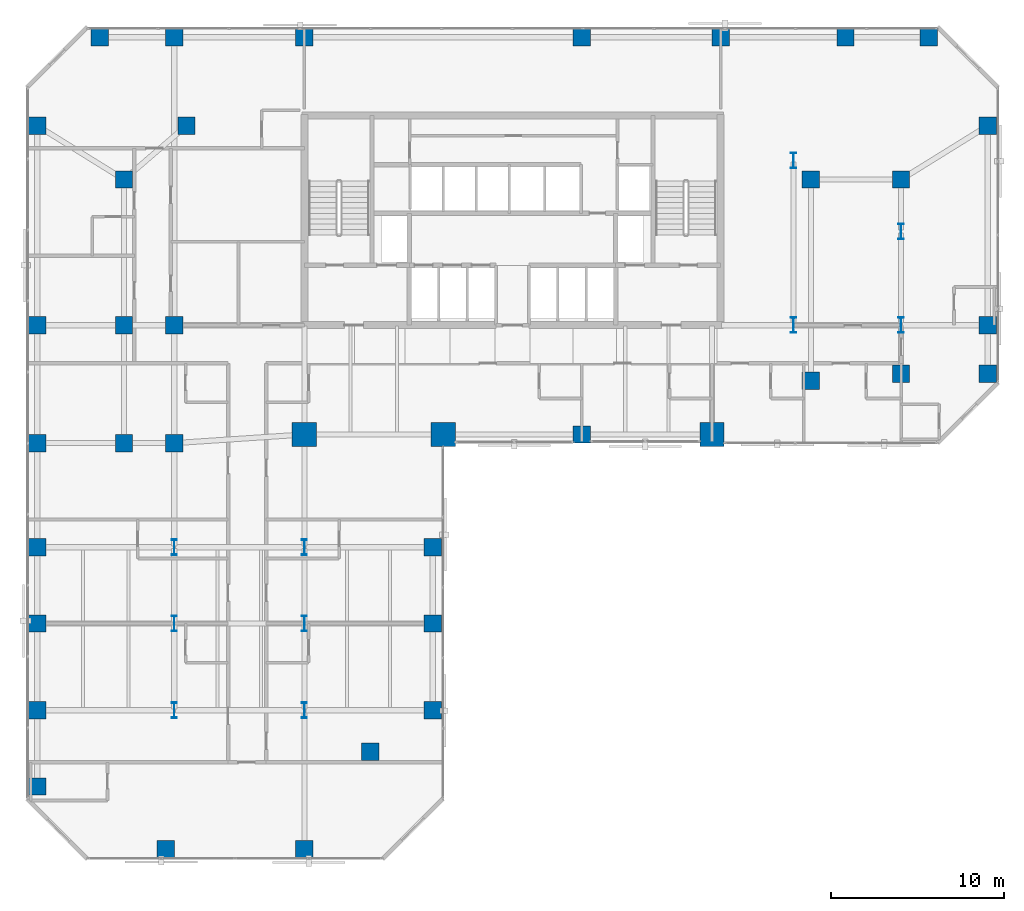
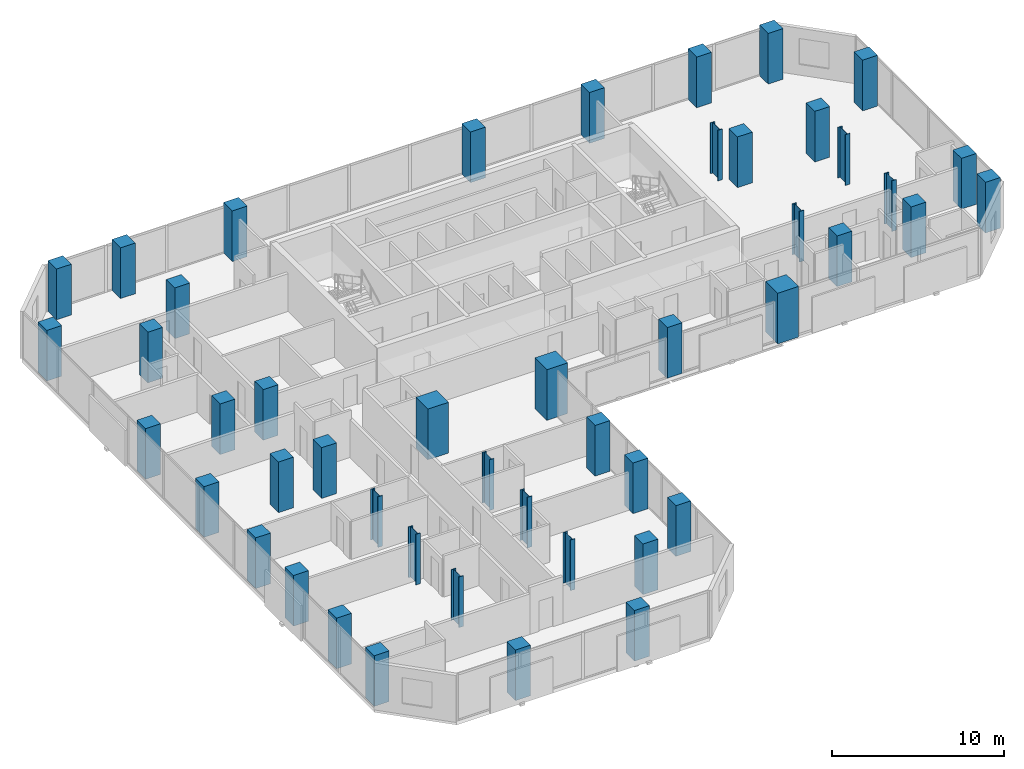
# One storey, part 1 of 32: 47 columns.
"""IFC4 building model written with IfcOpenShell, lengths in metres."""

from ifc_helpers import new_model, si_unit, direction, frame, origin, origin_2d, place, context, subcontext, project, spatial, rectangle, i_section, extrude, material, material_profile, profile_set, type_object, element, save


model = new_model("IFC4")

# Units and contexts
model_context = context("Model", 3, precision=1e-05, world=origin(), true_north=direction((0.0, 1.0)))
body_context = subcontext(model_context, "Body", "Model", "MODEL_VIEW")
ifc_project = project(units=[si_unit("LENGTHUNIT", "METRE"), si_unit("AREAUNIT", "SQUARE_METRE"), si_unit("VOLUMEUNIT", "CUBIC_METRE"), si_unit("PLANEANGLEUNIT", "RADIAN"), si_unit("MASSUNIT", "GRAM", prefix="KILO")], contexts=[model_context])

# Site, building, storey
site_placement = place(None, origin())
site = spatial("IfcSite", under=ifc_project, at=site_placement, CompositionType="ELEMENT")
building_placement = place(site_placement, origin())
building = spatial("IfcBuilding", under=site, at=building_placement, Name="Catumbela Crestline Tower", CompositionType="ELEMENT")
storey_placement = place(building_placement, frame((0.0, 0.0, 29.4)))
storey = spatial("IfcBuildingStorey", under=building, at=storey_placement, Name="L06", CompositionType="ELEMENT", Elevation=29.4)

# Columns
ifc_material_1 = material(Name="Concrete C60/75", Category="concrete")
ifc_material_profile_1 = material_profile(ifc_material_1, rectangle(XDim=1.0, YDim=1.0, at=origin_2d()), Name="RC 1000x1000")
ifc_profile_set_1 = profile_set([ifc_material_profile_1], Name="Concrete C60/75")
column_type_1 = type_object("IfcColumnType", Name="C-RC1000-C60", PredefinedType="COLUMN", material=ifc_profile_set_1)
for number, where, z_axis, x_axis, name in (
    (1, (8.5, 24.0, 0.0), (0.0, 0.0, 1.0), (1.0, 0.0, 0.0), "L06 Column C-08-24 (RC 1000x1000)"),
    (2, (32.0, 24.5, 0.0), (0.0, 0.0, 1.0), (1.0, 0.0, 0.0), "L06 Column C-32-24 (RC 1000x1000)"),
    (3, (5.6, 24.0, 0.0), (0.0, 0.0, 1.0), (1.0, 0.0, 0.0), "L06 Column C-05-24 (RC 1000x1000)"),
    (4, (5.6, 30.8, 0.0), (0.0, 0.0, 1.0), (1.0, 0.0, 0.0), "L06 Column C-05-31 (RC 1000x1000)"),
    (5, (5.6, 39.2, 0.0), (0.0, 0.0, 1.0), (1.0, 0.0, 0.0), "L06 Column C-05-43 (RC 1000x1000)"),
    (6, (8.5, 30.8, 0.0), (0.0, 0.0, 1.0), (1.0, 0.0, 0.0), "L06 Column C-08-31 (RC 1000x1000)"),
    (7, (9.2, 42.3, 0.0), (0.0, 0.0, 1.0), (1.0, 0.0, 0.0), "L06 Column C-08-43 (RC 1000x1000)"),
    (8, (45.2, 27.6, 0.0), (0.0, 0.0, 1.0), (1.0, 0.0, 0.0), "L06 Column C-46-24 (RC 1000x1000)"),
    (9, (45.2, 39.2, 0.0), (0.0, 0.0, 1.0), (1.0, 0.0, 0.0), "L06 Column C-46-43 (RC 1000x1000)"),
    (10, (0.6, 24.0, 0.0), (0.0, 0.0, 1.0), (1.0, 0.0, 0.0), "L06 Column C-00-24 (RC 1000x1000)"),
    (11, (0.6, 30.8, 0.0), (0.0, 0.0, 1.0), (1.0, 0.0, 0.0), "L06 Column C-00-31 (RC 1000x1000)"),
    (12, (0.6, 42.3, 0.0), (0.0, 0.0, 1.0), (1.0, 0.0, 0.0), "L06 Column C-00-43 (RC 1000x1000)"),
    (13, (4.2, 47.4, 0.0), (0.0, 0.0, 1.0), (1.0, 0.0, 0.0), "L06 Column C-00-48 (RC 1000x1000)"),
    (14, (8.5, 47.4, 0.0), (0.0, 0.0, 1.0), (1.0, 0.0, 0.0), "L06 Column C-08-48 (RC 1000x1000)"),
    (15, (16.0, 47.4, 0.0), (0.0, 0.0, 1.0), (1.0, 0.0, 0.0), "L06 Column C-16-48 (RC 1000x1000)"),
    (16, (32.0, 47.4, 0.0), (0.0, 0.0, 1.0), (1.0, 0.0, 0.0), "L06 Column C-32-48 (RC 1000x1000)"),
    (17, (40.0, 47.4, 0.0), (0.0, 0.0, 1.0), (1.0, 0.0, 0.0), "L06 Column C-40-48 (RC 1000x1000)"),
    (18, (47.2, 47.4, 0.0), (0.0, 0.0, 1.0), (1.0, 0.0, 0.0), "L06 Column C-48-48 (RC 1000x1000)"),
    (19, (50.4, 28.0, 0.0), (0.0, 0.0, 1.0), (1.0, 0.0, 0.0), "L06 Column C-51-24 (RC 1000x1000)"),
    (20, (50.4, 39.2, 0.0), (0.0, 0.0, 1.0), (1.0, 0.0, 0.0), "L06 Column C-51-43 (RC 1000x1000)"),
    (21, (55.4, 28.0, 0.0), (0.0, 0.0, 1.0), (1.0, 0.0, 0.0), "L06 Column C-56-24 (RC 1000x1000)"),
    (22, (55.4, 30.8, 0.0), (0.0, 0.0, 1.0), (1.0, 0.0, 0.0), "L06 Column C-56-31 (RC 1000x1000)"),
    (23, (55.4, 42.3, 0.0), (0.0, 0.0, 1.0), (1.0, 0.0, 0.0), "L06 Column C-56-43 (RC 1000x1000)"),
    (24, (52.0, 47.4, 0.0), (0.0, 0.0, 1.0), (1.0, 0.0, 0.0), "L06 Column C-56-48 (RC 1000x1000)"),
    (25, (0.6, 8.6, 0.0), (0.0, 0.0, 1.0), (1.0, 0.0, 0.0), "L06 Column C-00-05 (RC 1000x1000)"),
    (26, (0.6, 13.6, 0.0), (0.0, 0.0, 1.0), (1.0, 0.0, 0.0), "L06 Column C-00-10 (RC 1000x1000)"),
    (27, (0.6, 18.0, 0.0), (0.0, 0.0, 1.0), (1.0, 0.0, 0.0), "L06 Column C-00-16 (RC 1000x1000)"),
    (28, (0.6, 4.2, 0.0), (0.0, 0.0, 1.0), (1.0, 0.0, 0.0), "L06 Column C-00-03 (RC 1000x1000)"),
    (29, (8.0, 0.6, 0.0), (0.0, 0.0, 1.0), (1.0, 0.0, 0.0), "L06 Column C-08-00 (RC 1000x1000)"),
    (30, (16.0, 0.6, 0.0), (0.0, 0.0, 1.0), (1.0, 0.0, 0.0), "L06 Column C-16-00 (RC 1000x1000)"),
    (31, (19.8, 6.2, 0.0), (0.0, 0.0, 1.0), (1.0, 0.0, 0.0), "L06 Column C-24-05 (RC 1000x1000)"),
    (32, (23.4, 8.6, 0.0), (0.0, 0.0, 1.0), (1.0, 0.0, 0.0), "L06 Column C-23-08 (RC 1000x1000)"),
    (33, (23.4, 13.6, 0.0), (0.0, 0.0, 1.0), (1.0, 0.0, 0.0), "L06 Column C-24-10 (RC 1000x1000)"),
    (34, (23.4, 18.0, 0.0), (0.0, 0.0, 1.0), (1.0, 0.0, 0.0), "L06 Column C-24-16 (RC 1000x1000)"),
):
    element("IfcColumn", number, at=place(storey_placement, frame(where, z_axis=z_axis, x_axis=x_axis)), inside=storey, type_object=column_type_1, Name=name, PredefinedType="COLUMN", context=body_context, shape_type="SweptSolid", body=[
        extrude(rectangle(XDim=1.0, YDim=1.0, at=origin_2d()), origin(), (0.0, 0.0, 1.0), 3.6),
    ])
ifc_material_profile_2 = material_profile(ifc_material_1, rectangle(XDim=1.4, YDim=1.4, at=origin_2d()), Name="RC 1400x1400")
ifc_profile_set_2 = profile_set([ifc_material_profile_2], Name="Concrete C60/75")
column_type_2 = type_object("IfcColumnType", Name="C-RC1400-C60", PredefinedType="COLUMN", material=ifc_profile_set_2)
for number, where, z_axis, x_axis, name in (
    (35, (16.0, 24.5, 0.0), (0.0, 0.0, 1.0), (1.0, 0.0, 0.0), "L06 Column C-16-24 (RC 1400x1400)"),
    (36, (24.0, 24.5, 0.0), (0.0, 0.0, 1.0), (1.0, 0.0, 0.0), "L06 Column C-24-24 (RC 1400x1400)"),
    (37, (39.5, 24.5, 0.0), (0.0, 0.0, 1.0), (1.0, 0.0, 0.0), "L06 Column C-40-24 (RC 1400x1400)"),
):
    element("IfcColumn", number, at=place(storey_placement, frame(where, z_axis=z_axis, x_axis=x_axis)), inside=storey, type_object=column_type_2, Name=name, PredefinedType="COLUMN", context=body_context, shape_type="SweptSolid", body=[
        extrude(rectangle(XDim=1.4, YDim=1.4, at=origin_2d()), origin(), (0.0, 0.0, 1.0), 3.6),
    ])
ifc_material_2 = material(Name="Structural steel S460M", Category="steel")
ifc_material_profile_3 = material_profile(ifc_material_2, i_section(OverallWidth=0.3, OverallDepth=0.9, WebThickness=0.0185, FlangeThickness=0.035, FilletRadius=0.03, at=origin_2d()), Name="HEB 900")
ifc_profile_set_3 = profile_set([ifc_material_profile_3], Name="Structural steel S460M")
column_type_3 = type_object("IfcColumnType", Name="C-ST-HEB900", PredefinedType="COLUMN", material=ifc_profile_set_3)
for number, where, z_axis, x_axis, name in (
    (38, (8.5, 8.6, 0.0), (0.0, 0.0, 1.0), (1.0, 0.0, 0.0), "L06 Column CT-05-05 (HEB 900)"),
    (39, (16.0, 8.6, 0.0), (0.0, 0.0, 1.0), (1.0, 0.0, 0.0), "L06 Column CT-14-05 (HEB 900)"),
    (40, (8.5, 13.6, 0.0), (0.0, 0.0, 1.0), (1.0, 0.0, 0.0), "L06 Column CT-05-10 (HEB 900)"),
    (41, (16.0, 13.6, 0.0), (0.0, 0.0, 1.0), (1.0, 0.0, 0.0), "L06 Column CT-14-10 (HEB 900)"),
    (42, (8.5, 18.0, 0.0), (0.0, 0.0, 1.0), (1.0, 0.0, 0.0), "L06 Column CT-05-16 (HEB 900)"),
    (43, (16.0, 18.0, 0.0), (0.0, 0.0, 1.0), (1.0, 0.0, 0.0), "L06 Column CT-14-16 (HEB 900)"),
    (44, (44.2, 30.8, 0.0), (0.0, 0.0, 1.0), (1.0, 0.0, 0.0), "L06 Column CT-46-31 (HEB 900)"),
    (45, (44.2, 40.3, 0.0), (0.0, 0.0, 1.0), (1.0, 0.0, 0.0), "L06 Column CT-46-37 (HEB 900)"),
    (46, (50.4, 30.8, 0.0), (0.0, 0.0, 1.0), (1.0, 0.0, 0.0), "L06 Column CT-51-31 (HEB 900)"),
    (47, (50.4, 36.2, 0.0), (0.0, 0.0, 1.0), (1.0, 0.0, 0.0), "L06 Column CT-51-37 (HEB 900)"),
):
    element("IfcColumn", number, at=place(storey_placement, frame(where, z_axis=z_axis, x_axis=x_axis)), inside=storey, type_object=column_type_3, Name=name, PredefinedType="COLUMN", context=body_context, shape_type="SweptSolid", body=[
        extrude(i_section(OverallWidth=0.3, OverallDepth=0.9, WebThickness=0.0185, FlangeThickness=0.035, FilletRadius=0.03, at=origin_2d()), origin(), (0.0, 0.0, 1.0), 3.6),
    ])

save(model, "model.ifc")
